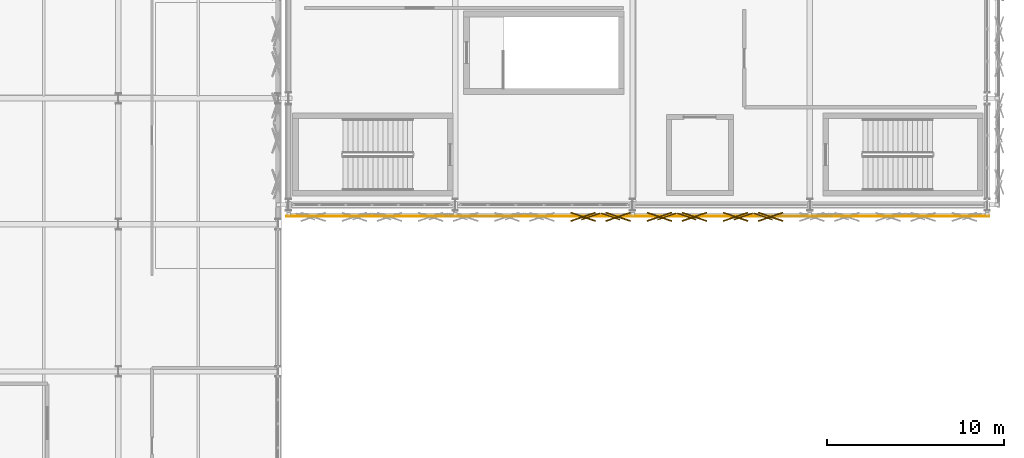
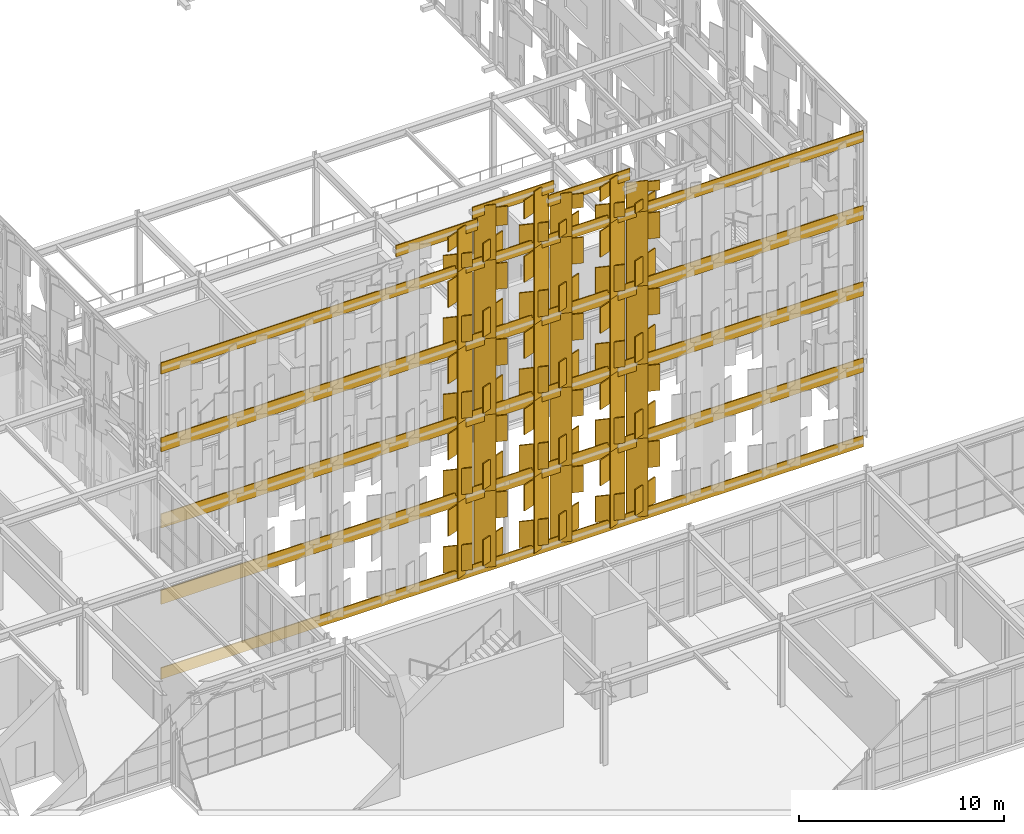
# One storey, part 231 of 239: 98 coverings.
"""IFC4 building model written with IfcOpenShell, lengths in metres."""

import ifcopenshell
import ifcopenshell.guid

model = None  # the IFC model being written
_history = None  # IfcOwnerHistory: only IFC2X3 demands one
_inside = {}  # id of a spatial element -> (the spatial element, [elements in it])
_under = {}  # id of a project, library or spatial element -> (it, [spatial elements below it])
_declared = {}  # id of a project -> (the project, [libraries it declares])
_typed = {}  # id of a type object -> (the type object, [elements of that type])
_made_of = {}  # id of a material, layer set ... -> (it, [elements and type objects made of it])


def new_model(schema):
    """Start an empty IFC model of exactly this schema.

    Asked for "IFC4X3", IfcOpenShell would pick the latest addendum, in which some entities
    have other attributes; the version numbers below select the first issue.
    IFC2X3 requires an IfcOwnerHistory on every rooted entity: one is made here for all.
    """
    global model, _history
    if schema == "IFC4X3":
        model = ifcopenshell.file(schema_version=(4, 3, 0, 0))
    else:
        model = ifcopenshell.file(schema=schema)
    _inside.clear()
    _under.clear()
    _declared.clear()
    _typed.clear()
    _made_of.clear()
    _history = None
    if model.schema == "IFC2X3":
        org = make("IfcOrganization", Name="unknown")
        user = make(
            "IfcPersonAndOrganization",
            ThePerson=make("IfcPerson", FamilyName="unknown"),
            TheOrganization=org,
        )
        app = make(
            "IfcApplication",
            ApplicationDeveloper=org,
            Version="unknown",
            ApplicationFullName="unknown",
            ApplicationIdentifier="unknown",
        )
        _history = make(
            "IfcOwnerHistory",
            OwningUser=user,
            OwningApplication=app,
            ChangeAction="ADDED",
            CreationDate=0,
        )
    return model


def make(cls, **values):
    """One entity of the class cls with the attributes given. An attribute that is None is left unset."""
    return model.create_entity(
        cls, **{name: value for name, value in values.items() if value is not None}
    )


def rooted(cls, **values):
    """An entity with a GlobalId (a new one), such as an element, a storey or a relation."""
    return make(cls, GlobalId=ifcopenshell.guid.new(), OwnerHistory=_history, **values)


def si_unit(unit_type, name, prefix=None):
    """IfcSIUnit, for example si_unit("LENGTHUNIT", "METRE", prefix="MILLI")."""
    return make("IfcSIUnit", UnitType=unit_type, Prefix=prefix, Name=name)


def assignment(units):
    """IfcUnitAssignment: the units of a project."""
    return None if units is None else make("IfcUnitAssignment", Units=units)


def point(xyz):
    """IfcCartesianPoint."""
    return None if xyz is None else make("IfcCartesianPoint", Coordinates=xyz)


def direction(xyz):
    """IfcDirection."""
    return None if xyz is None else make("IfcDirection", DirectionRatios=xyz)


def frame(location, z_axis=None, x_axis=None):
    """IfcAxis2Placement3D, a coordinate frame: its origin and axes. An axis left out is left unset."""
    return make(
        "IfcAxis2Placement3D",
        Location=point(location),
        Axis=direction(z_axis),
        RefDirection=direction(x_axis),
    )


def frame_2d(location, x_axis=None):
    """IfcAxis2Placement2D, a coordinate frame in the plane: its origin and x axis."""
    return make(
        "IfcAxis2Placement2D", Location=point(location), RefDirection=direction(x_axis)
    )


def origin():
    """The frame at (0, 0, 0) with its axes left unset."""
    return frame((0.0, 0.0, 0.0))


def origin_2d():
    """The frame at (0, 0) in the plane with its x axis left unset."""
    return frame_2d((0.0, 0.0))


def place(relative_to, where):
    """IfcLocalPlacement: puts the frame where relative to a parent placement (None: the world)."""
    return make(
        "IfcLocalPlacement", PlacementRelTo=relative_to, RelativePlacement=where
    )


def context(
    kind, dimensions, precision=None, world=None, true_north=None, identifier=None
):
    """IfcGeometricRepresentationContext, for example the 3D "Model" context."""
    return make(
        "IfcGeometricRepresentationContext",
        ContextIdentifier=identifier,
        ContextType=kind,
        CoordinateSpaceDimension=dimensions,
        Precision=precision,
        WorldCoordinateSystem=world,
        TrueNorth=true_north,
    )


def subcontext(parent, identifier, kind, view, scale=None):
    """IfcGeometricRepresentationSubContext, for example "Body" below "Model"."""
    return make(
        "IfcGeometricRepresentationSubContext",
        ContextIdentifier=identifier,
        ContextType=kind,
        ParentContext=parent,
        TargetScale=scale,
        TargetView=view,
    )


def project(units=None, contexts=None):
    """IfcProject with its units and contexts."""
    return rooted(
        "IfcProject",
        Name="project",
        RepresentationContexts=contexts,
        UnitsInContext=assignment(units),
    )


def spatial(cls, under=None, at=None, **own):
    """A site, building, storey or space (cls), placed at a placement, below another one or the project."""
    s = rooted(cls, ObjectPlacement=at, **own)
    if under is not None:
        _under.setdefault(under.id(), (under, []))[1].append(s)
    return s


def profile(cls, at=None, kind="AREA", **sizes):
    """A parametric profile (cls). Its sizes go by their IFC names, for example OverallWidth=200.0."""
    return make(cls, ProfileType=kind, Position=at, **sizes)


def rectangle(**sizes):
    """IfcRectangleProfileDef."""
    return profile("IfcRectangleProfileDef", **sizes)


def extrude(swept, where, along, depth):
    """IfcExtrudedAreaSolid: the profile swept, set in the frame where, extruded along a direction by depth."""
    return make(
        "IfcExtrudedAreaSolid",
        SweptArea=swept,
        Position=where,
        ExtrudedDirection=direction(along),
        Depth=depth,
    )


def shape(context_of_items, identifier, shape_type, items):
    """IfcShapeRepresentation: the items that make up one representation, for example the "Body"."""
    return make(
        "IfcShapeRepresentation",
        ContextOfItems=context_of_items,
        RepresentationIdentifier=identifier,
        RepresentationType=shape_type,
        Items=items,
    )


def material(Name=None, Category=None):
    """IfcMaterial."""
    return make("IfcMaterial", Name=Name, Category=Category)


def layer(
    of_material, thickness, ventilated=None, Name=None, Category=None, Priority=None
):
    """IfcMaterialLayer: one layer of a wall or slab, of a material (None: an air gap)."""
    return make(
        "IfcMaterialLayer",
        Material=of_material,
        LayerThickness=thickness,
        IsVentilated=ventilated,
        Name=Name,
        Category=Category,
        Priority=Priority,
    )


def layer_set(layers, Name=None):
    """IfcMaterialLayerSet."""
    return make("IfcMaterialLayerSet", MaterialLayers=layers, LayerSetName=Name)


def made_of(thing, what):
    """Note that an element or type object is made of a material, layer set ...; save() writes the relation."""
    if what is not None:
        _made_of.setdefault(what.id(), (what, []))[1].append(thing)
    return thing


def type_object(cls, material=None, **own):
    """A type object (cls), such as IfcWallType, which elements share."""
    return made_of(rooted(cls, **own), material)


def element(
    cls,
    number,
    at=None,
    inside=None,
    cuts=None,
    type_object=None,
    material=None,
    context=None,
    identifier="Body",
    shape_type=None,
    held_by="IfcProductDefinitionShape",
    body=None,
    shapes=None,
    **own,
):
    """One element of the class cls, such as IfcWall. Its Tag is "e" and its number.

    at: its placement. inside: the storey or other place that contains it. cuts: it is an
    opening in that element (IfcRelVoidsElement). A single representation is given by context,
    identifier, shape_type and body (its items); several are given by shapes. held_by: the class
    of the entity that holds the representations. save() writes the other relations.
    """
    e = rooted(cls, Tag="e%d" % number, ObjectPlacement=at, **own)
    if body is not None:
        shapes = [shape(context, identifier, shape_type, body)]
    if shapes is not None:
        e.Representation = make(held_by, Representations=shapes)
    if inside is not None:
        _inside.setdefault(inside.id(), (inside, []))[1].append(e)
    if cuts is not None:
        rooted(
            "IfcRelVoidsElement", RelatingBuildingElement=cuts, RelatedOpeningElement=e
        )
    if type_object is not None:
        _typed.setdefault(type_object.id(), (type_object, []))[1].append(e)
    return made_of(e, material)


def aggregate(whole, parts):
    """IfcRelAggregates: a whole, such as a stair, and the parts it consists of."""
    return rooted("IfcRelAggregates", RelatingObject=whole, RelatedObjects=parts)


def save(model, path):
    """Write the relations noted so far, then the file.

    IfcRelAggregates (storeys below a building ...), IfcRelContainedInSpatialStructure (elements
    in a storey), IfcRelDefinesByType, IfcRelAssociatesMaterial and IfcRelDeclares: one each for
    every whole, place, type object, material and project.
    """
    for whole, parts in _under.values():
        aggregate(whole, parts)
    for where, things in _inside.values():
        rooted(
            "IfcRelContainedInSpatialStructure",
            RelatedElements=things,
            RelatingStructure=where,
        )
    for kind, things in _typed.values():
        rooted("IfcRelDefinesByType", RelatedObjects=things, RelatingType=kind)
    for what, things in _made_of.values():
        rooted("IfcRelAssociatesMaterial", RelatedObjects=things, RelatingMaterial=what)
    for by, libraries in _declared.values():
        rooted("IfcRelDeclares", RelatingContext=by, RelatedDefinitions=libraries)
    model.write(path)


model = new_model("IFC4")

# Units and contexts
model_context = context("Model", 3, precision=1e-05, world=origin(), true_north=direction((0.0, 1.0)))
body_context = subcontext(model_context, "Body", "Model", "MODEL_VIEW")
ifc_project = project(units=[si_unit("LENGTHUNIT", "METRE"), si_unit("AREAUNIT", "SQUARE_METRE"), si_unit("VOLUMEUNIT", "CUBIC_METRE"), si_unit("PLANEANGLEUNIT", "RADIAN"), si_unit("MASSUNIT", "GRAM", prefix="KILO")], contexts=[model_context])

# Site, building, storey
site_placement = place(None, origin())
site = spatial("IfcSite", under=ifc_project, at=site_placement, CompositionType="ELEMENT")
building_placement = place(site_placement, origin())
building = spatial("IfcBuilding", under=site, at=building_placement, Name="Kaldris Quays Convention Centre", CompositionType="ELEMENT")
storey_placement = place(building_placement, frame((0.0, 0.0, 11.39990234375)))
storey = spatial("IfcBuildingStorey", under=building, at=storey_placement, Name="L02", CompositionType="ELEMENT", Elevation=11.39990234375)

# Coverings
ifc_material = material(Name="Alabaster white star-pierced anodized aluminium panel", Category="aluminium")
ifc_layer = layer(ifc_material, 0.044921875)
ifc_layer_set = layer_set([ifc_layer], Name="Alabaster white star-pierced anodized aluminium panel")
covering_type = type_object("IfcCoveringType", Name="STAR PIERCED WHITE FOLDED SCREEN CL01", PredefinedType="CLADDING", material=ifc_layer_set)
covering_1_placement = place(storey_placement, frame((184.300048828125, 55.35009765625, -7.8896484375), z_axis=(0.0, 0.0, 1.0), x_axis=(1.0, 0.0, 0.0)))
element("IfcCovering", 1, at=covering_1_placement, inside=storey, type_object=covering_type, Name="V2S White Screen Folded Band 2405", PredefinedType="CLADDING", context=body_context, shape_type="SweptSolid", body=[
    extrude(rectangle(XDim=39.639892578125, YDim=0.054931640625, at=origin_2d()), origin(), (0.0, 0.0, 1.0), 0.679931640625),
])
for number, where, z_axis, x_axis, name in (
    (2, (184.300048828125, 55.35009765625, -3.419921875), (0.0, 0.0, 1.0), (1.0, 0.0, 0.0), "V2S White Screen Folded Band 2406"),
    (3, (184.300048828125, 55.35009765625, 1.1298828125), (0.0, 0.0, 1.0), (1.0, 0.0, 0.0), "V2S White Screen Folded Band 2407"),
    (4, (184.300048828125, 55.35009765625, 5.68017578125), (0.0, 0.0, 1.0), (1.0, 0.0, 0.0), "V2S White Screen Folded Band 2408"),
):
    element("IfcCovering", number, at=place(storey_placement, frame(where, z_axis=z_axis, x_axis=x_axis)), inside=storey, type_object=covering_type, Name=name, PredefinedType="CLADDING", context=body_context, shape_type="SweptSolid", body=[
        extrude(rectangle(XDim=39.639892578125, YDim=0.054931640625, at=origin_2d()), origin(), (0.0, 0.0, 1.0), 0.840087890625),
    ])
covering_2_placement = place(storey_placement, frame((184.300048828125, 55.35009765625, 10.31005859375), z_axis=(0.0, 0.0, 1.0), x_axis=(1.0, 0.0, 0.0)))
element("IfcCovering", 5, at=covering_2_placement, inside=storey, type_object=covering_type, Name="V2S White Screen Folded Band 2409", PredefinedType="CLADDING", context=body_context, shape_type="SweptSolid", body=[
    extrude(rectangle(XDim=39.639892578125, YDim=0.054931640625, at=origin_2d()), origin(), (0.0, 0.0, 1.0), 0.679931640625),
])
covering_3_placement = place(storey_placement, frame((180.050048828125, 55.35009765625, 12.6689453125), z_axis=(0.0, 0.0, 1.0), x_axis=(1.0, 0.0, 0.0)))
element("IfcCovering", 6, at=covering_3_placement, inside=storey, type_object=covering_type, Name="V2S Gable White Screen Cap Band 2489", PredefinedType="CLADDING", context=body_context, shape_type="SweptSolid", body=[
    extrude(rectangle(XDim=4.60009765625, YDim=0.054931640625, at=origin_2d()), origin(), (0.0, 0.0, 1.0), 0.679931640625),
])
covering_4_placement = place(storey_placement, frame((181.64111328125, 55.340087890625, -7.60986328125), z_axis=(0.0, 0.0, 1.0), x_axis=(0.945518575599, 0.325568154457, 0.0)))
element("IfcCovering", 7, at=covering_4_placement, inside=storey, type_object=covering_type, Name="V2S Folded White Screen Stile 2491", PredefinedType="CLADDING", context=body_context, shape_type="SweptSolid", body=[
    extrude(rectangle(XDim=1.091064453125, YDim=0.054931640625, at=origin_2d()), origin(), (0.0, 0.0, 1.0), 4.669921875),
])
for number, where, z_axis, x_axis, name in (
    (8, (181.2109375, 55.320068359375, -7.27685546875), (0.0, 0.0, 1.0), (0.945518575599, -0.325568154457, 0.0), "V2S Carved Star Corner Facet 2494"),
    (9, (181.2109375, 55.320068359375, -4.81982421875), (0.0, 0.0, 1.0), (0.945518575599, 0.325568154457, 0.0), "V2S Carved Star Corner Facet 2495"),
):
    element("IfcCovering", number, at=place(storey_placement, frame(where, z_axis=z_axis, x_axis=x_axis)), inside=storey, type_object=covering_type, Name=name, PredefinedType="CLADDING", context=body_context, shape_type="SweptSolid", body=[
        extrude(rectangle(XDim=1.4619140625, YDim=0.06494140625, at=origin_2d()), origin(), (0.0, 0.0, 1.0), 1.547119140625),
    ])
covering_5_placement = place(storey_placement, frame((181.64111328125, 55.340087890625, -3.059814453125), z_axis=(0.0, 0.0, 1.0), x_axis=(0.945518575599, 0.325568154457, 0.0)))
element("IfcCovering", 10, at=covering_5_placement, inside=storey, type_object=covering_type, Name="V2S Folded White Screen Stile 2497", PredefinedType="CLADDING", context=body_context, shape_type="SweptSolid", body=[
    extrude(rectangle(XDim=1.091064453125, YDim=0.054931640625, at=origin_2d()), origin(), (0.0, 0.0, 1.0), 4.669921875),
])
for number, where, z_axis, x_axis, name in (
    (11, (181.2109375, 55.320068359375, -2.72705078125), (0.0, 0.0, 1.0), (0.945518575599, -0.325568154457, 0.0), "V2S Carved Star Corner Facet 2500"),
    (12, (181.2109375, 55.320068359375, -0.27001953125), (0.0, 0.0, 1.0), (0.945518575599, 0.325568154457, 0.0), "V2S Carved Star Corner Facet 2501"),
):
    element("IfcCovering", number, at=place(storey_placement, frame(where, z_axis=z_axis, x_axis=x_axis)), inside=storey, type_object=covering_type, Name=name, PredefinedType="CLADDING", context=body_context, shape_type="SweptSolid", body=[
        extrude(rectangle(XDim=1.4619140625, YDim=0.06494140625, at=origin_2d()), origin(), (0.0, 0.0, 1.0), 1.547119140625),
    ])
covering_6_placement = place(storey_placement, frame((181.64111328125, 55.340087890625, 1.490234375), z_axis=(0.0, 0.0, 1.0), x_axis=(0.945518575599, 0.325568154457, 0.0)))
element("IfcCovering", 13, at=covering_6_placement, inside=storey, type_object=covering_type, Name="V2S Folded White Screen Stile 2503", PredefinedType="CLADDING", context=body_context, shape_type="SweptSolid", body=[
    extrude(rectangle(XDim=1.091064453125, YDim=0.054931640625, at=origin_2d()), origin(), (0.0, 0.0, 1.0), 4.669921875),
])
for number, where, z_axis, x_axis, name in (
    (14, (181.2109375, 55.320068359375, 1.8232421875), (0.0, 0.0, 1.0), (0.945518575599, -0.325568154457, 0.0), "V2S Carved Star Corner Facet 2506"),
    (15, (181.2109375, 55.320068359375, 4.2802734375), (0.0, 0.0, 1.0), (0.945518575599, 0.325568154457, 0.0), "V2S Carved Star Corner Facet 2507"),
):
    element("IfcCovering", number, at=place(storey_placement, frame(where, z_axis=z_axis, x_axis=x_axis)), inside=storey, type_object=covering_type, Name=name, PredefinedType="CLADDING", context=body_context, shape_type="SweptSolid", body=[
        extrude(rectangle(XDim=1.4619140625, YDim=0.06494140625, at=origin_2d()), origin(), (0.0, 0.0, 1.0), 1.547119140625),
    ])
covering_7_placement = place(storey_placement, frame((181.64111328125, 55.340087890625, 6.0400390625), z_axis=(0.0, 0.0, 1.0), x_axis=(0.945518575599, 0.325568154457, 0.0)))
element("IfcCovering", 16, at=covering_7_placement, inside=storey, type_object=covering_type, Name="V2S Folded White Screen Stile 2509", PredefinedType="CLADDING", context=body_context, shape_type="SweptSolid", body=[
    extrude(rectangle(XDim=1.091064453125, YDim=0.054931640625, at=origin_2d()), origin(), (0.0, 0.0, 1.0), 4.669921875),
])
for number, where, z_axis, x_axis, name in (
    (17, (181.2109375, 55.320068359375, 6.373046875), (0.0, 0.0, 1.0), (0.945518575599, -0.325568154457, 0.0), "V2S Carved Star Corner Facet 2512"),
    (18, (181.2109375, 55.320068359375, 8.830078125), (0.0, 0.0, 1.0), (0.945518575599, 0.325568154457, 0.0), "V2S Carved Star Corner Facet 2513"),
):
    element("IfcCovering", number, at=place(storey_placement, frame(where, z_axis=z_axis, x_axis=x_axis)), inside=storey, type_object=covering_type, Name=name, PredefinedType="CLADDING", context=body_context, shape_type="SweptSolid", body=[
        extrude(rectangle(XDim=1.4619140625, YDim=0.06494140625, at=origin_2d()), origin(), (0.0, 0.0, 1.0), 1.547119140625),
    ])
covering_8_placement = place(storey_placement, frame((181.64111328125, 55.340087890625, 10.590087890625), z_axis=(0.0, 0.0, 1.0), x_axis=(0.945518575599, 0.325568154457, 0.0)))
element("IfcCovering", 19, at=covering_8_placement, inside=storey, type_object=covering_type, Name="V2S Folded White Screen Stile 2515", PredefinedType="CLADDING", context=body_context, shape_type="SweptSolid", body=[
    extrude(rectangle(XDim=1.091064453125, YDim=0.054931640625, at=origin_2d()), origin(), (0.0, 0.0, 1.0), 2.62890625),
])
for number, where, z_axis, x_axis, name in (
    (20, (181.2109375, 55.320068359375, 10.80078125), (0.0, 0.0, 1.0), (0.945518575599, -0.325568154457, 0.0), "V2S Carved Star Corner Facet 2518"),
    (21, (181.2109375, 55.320068359375, 12.155517578125), (0.0, 0.0, 1.0), (0.945518575599, 0.325568154457, 0.0), "V2S Carved Star Corner Facet 2519"),
):
    element("IfcCovering", number, at=place(storey_placement, frame(where, z_axis=z_axis, x_axis=x_axis)), inside=storey, type_object=covering_type, Name=name, PredefinedType="CLADDING", context=body_context, shape_type="SweptSolid", body=[
        extrude(rectangle(XDim=1.4619140625, YDim=0.06494140625, at=origin_2d()), origin(), (0.0, 0.0, 1.0), 0.85302734375),
    ])
covering_9_placement = place(storey_placement, frame((184.35009765625, 55.35009765625, 13.43701171875), z_axis=(0.0, 0.0, 1.0), x_axis=(1.0, 0.0, 0.0)))
element("IfcCovering", 22, at=covering_9_placement, inside=storey, type_object=covering_type, Name="V2S Gable White Screen Cap Band 2520", PredefinedType="CLADDING", context=body_context, shape_type="SweptSolid", body=[
    extrude(rectangle(XDim=4.60009765625, YDim=0.054931640625, at=origin_2d()), origin(), (0.0, 0.0, 1.0), 0.679931640625),
])
for number, where, z_axis, x_axis, name in (
    (23, (182.759033203125, 55.340087890625, -7.60986328125), (0.0, 0.0, 1.0), (0.945518575599, -0.325568154457, 0.0), "V2S Folded White Screen Stile 2521"),
    (24, (185.94091796875, 55.340087890625, -7.60986328125), (0.0, 0.0, 1.0), (0.945518575599, 0.325568154457, 0.0), "V2S Folded White Screen Stile 2522"),
):
    element("IfcCovering", number, at=place(storey_placement, frame(where, z_axis=z_axis, x_axis=x_axis)), inside=storey, type_object=covering_type, Name=name, PredefinedType="CLADDING", context=body_context, shape_type="SweptSolid", body=[
        extrude(rectangle(XDim=1.091064453125, YDim=0.054931640625, at=origin_2d()), origin(), (0.0, 0.0, 1.0), 4.669921875),
    ])
for number, where, z_axis, x_axis, name in (
    (25, (183.18896484375, 55.320068359375, -7.27685546875), (0.0, 0.0, 1.0), (0.945518575599, 0.325568154457, 0.0), "V2S Carved Star Corner Facet 2523"),
    (26, (183.18896484375, 55.320068359375, -4.81982421875), (0.0, 0.0, 1.0), (0.945518575599, -0.325568154457, 0.0), "V2S Carved Star Corner Facet 2524"),
    (27, (185.510986328125, 55.320068359375, -7.27685546875), (0.0, 0.0, 1.0), (0.945518575599, -0.325568154457, 0.0), "V2S Carved Star Corner Facet 2525"),
    (28, (185.510986328125, 55.320068359375, -4.81982421875), (0.0, 0.0, 1.0), (0.945518575599, 0.325568154457, 0.0), "V2S Carved Star Corner Facet 2526"),
):
    element("IfcCovering", number, at=place(storey_placement, frame(where, z_axis=z_axis, x_axis=x_axis)), inside=storey, type_object=covering_type, Name=name, PredefinedType="CLADDING", context=body_context, shape_type="SweptSolid", body=[
        extrude(rectangle(XDim=1.4619140625, YDim=0.06494140625, at=origin_2d()), origin(), (0.0, 0.0, 1.0), 1.547119140625),
    ])
for number, where, z_axis, x_axis, name in (
    (29, (182.759033203125, 55.340087890625, -3.059814453125), (0.0, 0.0, 1.0), (0.945518575599, -0.325568154457, 0.0), "V2S Folded White Screen Stile 2527"),
    (30, (185.94091796875, 55.340087890625, -3.059814453125), (0.0, 0.0, 1.0), (0.945518575599, 0.325568154457, 0.0), "V2S Folded White Screen Stile 2528"),
):
    element("IfcCovering", number, at=place(storey_placement, frame(where, z_axis=z_axis, x_axis=x_axis)), inside=storey, type_object=covering_type, Name=name, PredefinedType="CLADDING", context=body_context, shape_type="SweptSolid", body=[
        extrude(rectangle(XDim=1.091064453125, YDim=0.054931640625, at=origin_2d()), origin(), (0.0, 0.0, 1.0), 4.669921875),
    ])
for number, where, z_axis, x_axis, name in (
    (31, (183.18896484375, 55.320068359375, -2.72705078125), (0.0, 0.0, 1.0), (0.945518575599, 0.325568154457, 0.0), "V2S Carved Star Corner Facet 2529"),
    (32, (183.18896484375, 55.320068359375, -0.27001953125), (0.0, 0.0, 1.0), (0.945518575599, -0.325568154457, 0.0), "V2S Carved Star Corner Facet 2530"),
    (33, (185.510986328125, 55.320068359375, -2.72705078125), (0.0, 0.0, 1.0), (0.945518575599, -0.325568154457, 0.0), "V2S Carved Star Corner Facet 2531"),
    (34, (185.510986328125, 55.320068359375, -0.27001953125), (0.0, 0.0, 1.0), (0.945518575599, 0.325568154457, 0.0), "V2S Carved Star Corner Facet 2532"),
):
    element("IfcCovering", number, at=place(storey_placement, frame(where, z_axis=z_axis, x_axis=x_axis)), inside=storey, type_object=covering_type, Name=name, PredefinedType="CLADDING", context=body_context, shape_type="SweptSolid", body=[
        extrude(rectangle(XDim=1.4619140625, YDim=0.06494140625, at=origin_2d()), origin(), (0.0, 0.0, 1.0), 1.547119140625),
    ])
for number, where, z_axis, x_axis, name in (
    (35, (182.759033203125, 55.340087890625, 1.490234375), (0.0, 0.0, 1.0), (0.945518575599, -0.325568154457, 0.0), "V2S Folded White Screen Stile 2533"),
    (36, (185.94091796875, 55.340087890625, 1.490234375), (0.0, 0.0, 1.0), (0.945518575599, 0.325568154457, 0.0), "V2S Folded White Screen Stile 2534"),
):
    element("IfcCovering", number, at=place(storey_placement, frame(where, z_axis=z_axis, x_axis=x_axis)), inside=storey, type_object=covering_type, Name=name, PredefinedType="CLADDING", context=body_context, shape_type="SweptSolid", body=[
        extrude(rectangle(XDim=1.091064453125, YDim=0.054931640625, at=origin_2d()), origin(), (0.0, 0.0, 1.0), 4.669921875),
    ])
for number, where, z_axis, x_axis, name in (
    (37, (183.18896484375, 55.320068359375, 1.8232421875), (0.0, 0.0, 1.0), (0.945518575599, 0.325568154457, 0.0), "V2S Carved Star Corner Facet 2535"),
    (38, (183.18896484375, 55.320068359375, 4.2802734375), (0.0, 0.0, 1.0), (0.945518575599, -0.325568154457, 0.0), "V2S Carved Star Corner Facet 2536"),
    (39, (185.510986328125, 55.320068359375, 1.8232421875), (0.0, 0.0, 1.0), (0.945518575599, -0.325568154457, 0.0), "V2S Carved Star Corner Facet 2537"),
    (40, (185.510986328125, 55.320068359375, 4.2802734375), (0.0, 0.0, 1.0), (0.945518575599, 0.325568154457, 0.0), "V2S Carved Star Corner Facet 2538"),
):
    element("IfcCovering", number, at=place(storey_placement, frame(where, z_axis=z_axis, x_axis=x_axis)), inside=storey, type_object=covering_type, Name=name, PredefinedType="CLADDING", context=body_context, shape_type="SweptSolid", body=[
        extrude(rectangle(XDim=1.4619140625, YDim=0.06494140625, at=origin_2d()), origin(), (0.0, 0.0, 1.0), 1.547119140625),
    ])
for number, where, z_axis, x_axis, name in (
    (41, (182.759033203125, 55.340087890625, 6.0400390625), (0.0, 0.0, 1.0), (0.945518575599, -0.325568154457, 0.0), "V2S Folded White Screen Stile 2539"),
    (42, (185.94091796875, 55.340087890625, 6.0400390625), (0.0, 0.0, 1.0), (0.945518575599, 0.325568154457, 0.0), "V2S Folded White Screen Stile 2540"),
):
    element("IfcCovering", number, at=place(storey_placement, frame(where, z_axis=z_axis, x_axis=x_axis)), inside=storey, type_object=covering_type, Name=name, PredefinedType="CLADDING", context=body_context, shape_type="SweptSolid", body=[
        extrude(rectangle(XDim=1.091064453125, YDim=0.054931640625, at=origin_2d()), origin(), (0.0, 0.0, 1.0), 4.669921875),
    ])
for number, where, z_axis, x_axis, name in (
    (43, (183.18896484375, 55.320068359375, 6.373046875), (0.0, 0.0, 1.0), (0.945518575599, 0.325568154457, 0.0), "V2S Carved Star Corner Facet 2541"),
    (44, (183.18896484375, 55.320068359375, 8.830078125), (0.0, 0.0, 1.0), (0.945518575599, -0.325568154457, 0.0), "V2S Carved Star Corner Facet 2542"),
    (45, (185.510986328125, 55.320068359375, 6.373046875), (0.0, 0.0, 1.0), (0.945518575599, -0.325568154457, 0.0), "V2S Carved Star Corner Facet 2543"),
    (46, (185.510986328125, 55.320068359375, 8.830078125), (0.0, 0.0, 1.0), (0.945518575599, 0.325568154457, 0.0), "V2S Carved Star Corner Facet 2544"),
):
    element("IfcCovering", number, at=place(storey_placement, frame(where, z_axis=z_axis, x_axis=x_axis)), inside=storey, type_object=covering_type, Name=name, PredefinedType="CLADDING", context=body_context, shape_type="SweptSolid", body=[
        extrude(rectangle(XDim=1.4619140625, YDim=0.06494140625, at=origin_2d()), origin(), (0.0, 0.0, 1.0), 1.547119140625),
    ])
for number, where, z_axis, x_axis, name in (
    (47, (182.759033203125, 55.340087890625, 10.590087890625), (0.0, 0.0, 1.0), (0.945518575599, -0.325568154457, 0.0), "V2S Folded White Screen Stile 2545"),
    (48, (185.94091796875, 55.340087890625, 10.590087890625), (0.0, 0.0, 1.0), (0.945518575599, 0.325568154457, 0.0), "V2S Folded White Screen Stile 2546"),
):
    element("IfcCovering", number, at=place(storey_placement, frame(where, z_axis=z_axis, x_axis=x_axis)), inside=storey, type_object=covering_type, Name=name, PredefinedType="CLADDING", context=body_context, shape_type="SweptSolid", body=[
        extrude(rectangle(XDim=1.091064453125, YDim=0.054931640625, at=origin_2d()), origin(), (0.0, 0.0, 1.0), 3.39697265625),
    ])
for number, where, z_axis, x_axis, name in (
    (49, (183.18896484375, 55.320068359375, 10.8466796875), (0.0, 0.0, 1.0), (0.945518575599, 0.325568154457, 0.0), "V2S Carved Star Corner Facet 2547"),
    (50, (183.18896484375, 55.320068359375, 12.6162109375), (0.0, 0.0, 1.0), (0.945518575599, -0.325568154457, 0.0), "V2S Carved Star Corner Facet 2548"),
    (51, (185.510986328125, 55.320068359375, 10.8466796875), (0.0, 0.0, 1.0), (0.945518575599, -0.325568154457, 0.0), "V2S Carved Star Corner Facet 2549"),
    (52, (185.510986328125, 55.320068359375, 12.6162109375), (0.0, 0.0, 1.0), (0.945518575599, 0.325568154457, 0.0), "V2S Carved Star Corner Facet 2550"),
):
    element("IfcCovering", number, at=place(storey_placement, frame(where, z_axis=z_axis, x_axis=x_axis)), inside=storey, type_object=covering_type, Name=name, PredefinedType="CLADDING", context=body_context, shape_type="SweptSolid", body=[
        extrude(rectangle(XDim=1.4619140625, YDim=0.06494140625, at=origin_2d()), origin(), (0.0, 0.0, 1.0), 1.114013671875),
    ])
covering_10_placement = place(storey_placement, frame((188.64990234375, 55.35009765625, 12.6513671875), z_axis=(0.0, 0.0, 1.0), x_axis=(1.0, 0.0, 0.0)))
element("IfcCovering", 53, at=covering_10_placement, inside=storey, type_object=covering_type, Name="V2S Gable White Screen Cap Band 2551", PredefinedType="CLADDING", context=body_context, shape_type="SweptSolid", body=[
    extrude(rectangle(XDim=4.60009765625, YDim=0.054931640625, at=origin_2d()), origin(), (0.0, 0.0, 1.0), 0.679931640625),
])
for number, where, z_axis, x_axis, name in (
    (54, (187.05908203125, 55.340087890625, -7.60986328125), (0.0, 0.0, 1.0), (0.945518575599, -0.325568154457, 0.0), "V2S Folded White Screen Stile 2552"),
    (55, (190.240966796875, 55.340087890625, -7.60986328125), (0.0, 0.0, 1.0), (0.945518575599, 0.325568154457, 0.0), "V2S Folded White Screen Stile 2553"),
):
    element("IfcCovering", number, at=place(storey_placement, frame(where, z_axis=z_axis, x_axis=x_axis)), inside=storey, type_object=covering_type, Name=name, PredefinedType="CLADDING", context=body_context, shape_type="SweptSolid", body=[
        extrude(rectangle(XDim=1.091064453125, YDim=0.054931640625, at=origin_2d()), origin(), (0.0, 0.0, 1.0), 4.669921875),
    ])
for number, where, z_axis, x_axis, name in (
    (56, (187.489013671875, 55.320068359375, -7.27685546875), (0.0, 0.0, 1.0), (0.945518575599, 0.325568154457, 0.0), "V2S Carved Star Corner Facet 2554"),
    (57, (187.489013671875, 55.320068359375, -4.81982421875), (0.0, 0.0, 1.0), (0.945518575599, -0.325568154457, 0.0), "V2S Carved Star Corner Facet 2555"),
    (58, (189.81103515625, 55.320068359375, -7.27685546875), (0.0, 0.0, 1.0), (0.945518575599, -0.325568154457, 0.0), "V2S Carved Star Corner Facet 2556"),
    (59, (189.81103515625, 55.320068359375, -4.81982421875), (0.0, 0.0, 1.0), (0.945518575599, 0.325568154457, 0.0), "V2S Carved Star Corner Facet 2557"),
):
    element("IfcCovering", number, at=place(storey_placement, frame(where, z_axis=z_axis, x_axis=x_axis)), inside=storey, type_object=covering_type, Name=name, PredefinedType="CLADDING", context=body_context, shape_type="SweptSolid", body=[
        extrude(rectangle(XDim=1.4619140625, YDim=0.06494140625, at=origin_2d()), origin(), (0.0, 0.0, 1.0), 1.547119140625),
    ])
for number, where, z_axis, x_axis, name in (
    (60, (187.05908203125, 55.340087890625, -3.059814453125), (0.0, 0.0, 1.0), (0.945518575599, -0.325568154457, 0.0), "V2S Folded White Screen Stile 2558"),
    (61, (190.240966796875, 55.340087890625, -3.059814453125), (0.0, 0.0, 1.0), (0.945518575599, 0.325568154457, 0.0), "V2S Folded White Screen Stile 2559"),
):
    element("IfcCovering", number, at=place(storey_placement, frame(where, z_axis=z_axis, x_axis=x_axis)), inside=storey, type_object=covering_type, Name=name, PredefinedType="CLADDING", context=body_context, shape_type="SweptSolid", body=[
        extrude(rectangle(XDim=1.091064453125, YDim=0.054931640625, at=origin_2d()), origin(), (0.0, 0.0, 1.0), 4.669921875),
    ])
for number, where, z_axis, x_axis, name in (
    (62, (187.489013671875, 55.320068359375, -2.72705078125), (0.0, 0.0, 1.0), (0.945518575599, 0.325568154457, 0.0), "V2S Carved Star Corner Facet 2560"),
    (63, (187.489013671875, 55.320068359375, -0.27001953125), (0.0, 0.0, 1.0), (0.945518575599, -0.325568154457, 0.0), "V2S Carved Star Corner Facet 2561"),
    (64, (189.81103515625, 55.320068359375, -2.72705078125), (0.0, 0.0, 1.0), (0.945518575599, -0.325568154457, 0.0), "V2S Carved Star Corner Facet 2562"),
    (65, (189.81103515625, 55.320068359375, -0.27001953125), (0.0, 0.0, 1.0), (0.945518575599, 0.325568154457, 0.0), "V2S Carved Star Corner Facet 2563"),
):
    element("IfcCovering", number, at=place(storey_placement, frame(where, z_axis=z_axis, x_axis=x_axis)), inside=storey, type_object=covering_type, Name=name, PredefinedType="CLADDING", context=body_context, shape_type="SweptSolid", body=[
        extrude(rectangle(XDim=1.4619140625, YDim=0.06494140625, at=origin_2d()), origin(), (0.0, 0.0, 1.0), 1.547119140625),
    ])
for number, where, z_axis, x_axis, name in (
    (66, (187.05908203125, 55.340087890625, 1.490234375), (0.0, 0.0, 1.0), (0.945518575599, -0.325568154457, 0.0), "V2S Folded White Screen Stile 2564"),
    (67, (190.240966796875, 55.340087890625, 1.490234375), (0.0, 0.0, 1.0), (0.945518575599, 0.325568154457, 0.0), "V2S Folded White Screen Stile 2565"),
):
    element("IfcCovering", number, at=place(storey_placement, frame(where, z_axis=z_axis, x_axis=x_axis)), inside=storey, type_object=covering_type, Name=name, PredefinedType="CLADDING", context=body_context, shape_type="SweptSolid", body=[
        extrude(rectangle(XDim=1.091064453125, YDim=0.054931640625, at=origin_2d()), origin(), (0.0, 0.0, 1.0), 4.669921875),
    ])
for number, where, z_axis, x_axis, name in (
    (68, (187.489013671875, 55.320068359375, 1.8232421875), (0.0, 0.0, 1.0), (0.945518575599, 0.325568154457, 0.0), "V2S Carved Star Corner Facet 2566"),
    (69, (187.489013671875, 55.320068359375, 4.2802734375), (0.0, 0.0, 1.0), (0.945518575599, -0.325568154457, 0.0), "V2S Carved Star Corner Facet 2567"),
    (70, (189.81103515625, 55.320068359375, 1.8232421875), (0.0, 0.0, 1.0), (0.945518575599, -0.325568154457, 0.0), "V2S Carved Star Corner Facet 2568"),
    (71, (189.81103515625, 55.320068359375, 4.2802734375), (0.0, 0.0, 1.0), (0.945518575599, 0.325568154457, 0.0), "V2S Carved Star Corner Facet 2569"),
):
    element("IfcCovering", number, at=place(storey_placement, frame(where, z_axis=z_axis, x_axis=x_axis)), inside=storey, type_object=covering_type, Name=name, PredefinedType="CLADDING", context=body_context, shape_type="SweptSolid", body=[
        extrude(rectangle(XDim=1.4619140625, YDim=0.06494140625, at=origin_2d()), origin(), (0.0, 0.0, 1.0), 1.547119140625),
    ])
for number, where, z_axis, x_axis, name in (
    (72, (187.05908203125, 55.340087890625, 6.0400390625), (0.0, 0.0, 1.0), (0.945518575599, -0.325568154457, 0.0), "V2S Folded White Screen Stile 2570"),
    (73, (190.240966796875, 55.340087890625, 6.0400390625), (0.0, 0.0, 1.0), (0.945518575599, 0.325568154457, 0.0), "V2S Folded White Screen Stile 2571"),
):
    element("IfcCovering", number, at=place(storey_placement, frame(where, z_axis=z_axis, x_axis=x_axis)), inside=storey, type_object=covering_type, Name=name, PredefinedType="CLADDING", context=body_context, shape_type="SweptSolid", body=[
        extrude(rectangle(XDim=1.091064453125, YDim=0.054931640625, at=origin_2d()), origin(), (0.0, 0.0, 1.0), 4.669921875),
    ])
for number, where, z_axis, x_axis, name in (
    (74, (187.489013671875, 55.320068359375, 6.373046875), (0.0, 0.0, 1.0), (0.945518575599, 0.325568154457, 0.0), "V2S Carved Star Corner Facet 2572"),
    (75, (187.489013671875, 55.320068359375, 8.830078125), (0.0, 0.0, 1.0), (0.945518575599, -0.325568154457, 0.0), "V2S Carved Star Corner Facet 2573"),
    (76, (189.81103515625, 55.320068359375, 6.373046875), (0.0, 0.0, 1.0), (0.945518575599, -0.325568154457, 0.0), "V2S Carved Star Corner Facet 2574"),
    (77, (189.81103515625, 55.320068359375, 8.830078125), (0.0, 0.0, 1.0), (0.945518575599, 0.325568154457, 0.0), "V2S Carved Star Corner Facet 2575"),
):
    element("IfcCovering", number, at=place(storey_placement, frame(where, z_axis=z_axis, x_axis=x_axis)), inside=storey, type_object=covering_type, Name=name, PredefinedType="CLADDING", context=body_context, shape_type="SweptSolid", body=[
        extrude(rectangle(XDim=1.4619140625, YDim=0.06494140625, at=origin_2d()), origin(), (0.0, 0.0, 1.0), 1.547119140625),
    ])
for number, where, z_axis, x_axis, name in (
    (78, (187.05908203125, 55.340087890625, 10.58984375), (0.0, 0.0, 1.0), (0.945518575599, -0.325568154457, 0.0), "V2S Folded White Screen Stile 2576"),
    (79, (190.240966796875, 55.340087890625, 10.58984375), (0.0, 0.0, 1.0), (0.945518575599, 0.325568154457, 0.0), "V2S Folded White Screen Stile 2577"),
):
    element("IfcCovering", number, at=place(storey_placement, frame(where, z_axis=z_axis, x_axis=x_axis)), inside=storey, type_object=covering_type, Name=name, PredefinedType="CLADDING", context=body_context, shape_type="SweptSolid", body=[
        extrude(rectangle(XDim=1.091064453125, YDim=0.054931640625, at=origin_2d()), origin(), (0.0, 0.0, 1.0), 2.611083984375),
    ])
for number, where, z_axis, x_axis, name in (
    (80, (187.489013671875, 55.320068359375, 10.79931640625), (0.0, 0.0, 1.0), (0.945518575599, 0.325568154457, 0.0), "V2S Carved Star Corner Facet 2578"),
    (81, (187.489013671875, 55.320068359375, 12.14453125), (0.0, 0.0, 1.0), (0.945518575599, -0.325568154457, 0.0), "V2S Carved Star Corner Facet 2579"),
    (82, (189.81103515625, 55.320068359375, 10.79931640625), (0.0, 0.0, 1.0), (0.945518575599, -0.325568154457, 0.0), "V2S Carved Star Corner Facet 2580"),
    (83, (189.81103515625, 55.320068359375, 12.14453125), (0.0, 0.0, 1.0), (0.945518575599, 0.325568154457, 0.0), "V2S Carved Star Corner Facet 2581"),
):
    element("IfcCovering", number, at=place(storey_placement, frame(where, z_axis=z_axis, x_axis=x_axis)), inside=storey, type_object=covering_type, Name=name, PredefinedType="CLADDING", context=body_context, shape_type="SweptSolid", body=[
        extrude(rectangle(XDim=1.4619140625, YDim=0.06494140625, at=origin_2d()), origin(), (0.0, 0.0, 1.0), 0.846923828125),
    ])
covering_11_placement = place(storey_placement, frame((191.35888671875, 55.340087890625, -7.60986328125), z_axis=(0.0, 0.0, 1.0), x_axis=(0.945518575599, -0.325568154457, 0.0)))
element("IfcCovering", 84, at=covering_11_placement, inside=storey, type_object=covering_type, Name="V2S Folded White Screen Stile 2583", PredefinedType="CLADDING", context=body_context, shape_type="SweptSolid", body=[
    extrude(rectangle(XDim=1.091064453125, YDim=0.054931640625, at=origin_2d()), origin(), (0.0, 0.0, 1.0), 4.669921875),
])
for number, where, z_axis, x_axis, name in (
    (85, (191.7890625, 55.320068359375, -7.27685546875), (0.0, 0.0, 1.0), (0.945518575599, 0.325568154457, 0.0), "V2S Carved Star Corner Facet 2585"),
    (86, (191.7890625, 55.320068359375, -4.81982421875), (0.0, 0.0, 1.0), (0.945518575599, -0.325568154457, 0.0), "V2S Carved Star Corner Facet 2586"),
):
    element("IfcCovering", number, at=place(storey_placement, frame(where, z_axis=z_axis, x_axis=x_axis)), inside=storey, type_object=covering_type, Name=name, PredefinedType="CLADDING", context=body_context, shape_type="SweptSolid", body=[
        extrude(rectangle(XDim=1.4619140625, YDim=0.06494140625, at=origin_2d()), origin(), (0.0, 0.0, 1.0), 1.547119140625),
    ])
covering_12_placement = place(storey_placement, frame((191.35888671875, 55.340087890625, -3.059814453125), z_axis=(0.0, 0.0, 1.0), x_axis=(0.945518575599, -0.325568154457, 0.0)))
element("IfcCovering", 87, at=covering_12_placement, inside=storey, type_object=covering_type, Name="V2S Folded White Screen Stile 2589", PredefinedType="CLADDING", context=body_context, shape_type="SweptSolid", body=[
    extrude(rectangle(XDim=1.091064453125, YDim=0.054931640625, at=origin_2d()), origin(), (0.0, 0.0, 1.0), 4.669921875),
])
for number, where, z_axis, x_axis, name in (
    (88, (191.7890625, 55.320068359375, -2.72705078125), (0.0, 0.0, 1.0), (0.945518575599, 0.325568154457, 0.0), "V2S Carved Star Corner Facet 2591"),
    (89, (191.7890625, 55.320068359375, -0.27001953125), (0.0, 0.0, 1.0), (0.945518575599, -0.325568154457, 0.0), "V2S Carved Star Corner Facet 2592"),
):
    element("IfcCovering", number, at=place(storey_placement, frame(where, z_axis=z_axis, x_axis=x_axis)), inside=storey, type_object=covering_type, Name=name, PredefinedType="CLADDING", context=body_context, shape_type="SweptSolid", body=[
        extrude(rectangle(XDim=1.4619140625, YDim=0.06494140625, at=origin_2d()), origin(), (0.0, 0.0, 1.0), 1.547119140625),
    ])
covering_13_placement = place(storey_placement, frame((191.35888671875, 55.340087890625, 1.490234375), z_axis=(0.0, 0.0, 1.0), x_axis=(0.945518575599, -0.325568154457, 0.0)))
element("IfcCovering", 90, at=covering_13_placement, inside=storey, type_object=covering_type, Name="V2S Folded White Screen Stile 2595", PredefinedType="CLADDING", context=body_context, shape_type="SweptSolid", body=[
    extrude(rectangle(XDim=1.091064453125, YDim=0.054931640625, at=origin_2d()), origin(), (0.0, 0.0, 1.0), 4.669921875),
])
for number, where, z_axis, x_axis, name in (
    (91, (191.7890625, 55.320068359375, 1.8232421875), (0.0, 0.0, 1.0), (0.945518575599, 0.325568154457, 0.0), "V2S Carved Star Corner Facet 2597"),
    (92, (191.7890625, 55.320068359375, 4.2802734375), (0.0, 0.0, 1.0), (0.945518575599, -0.325568154457, 0.0), "V2S Carved Star Corner Facet 2598"),
):
    element("IfcCovering", number, at=place(storey_placement, frame(where, z_axis=z_axis, x_axis=x_axis)), inside=storey, type_object=covering_type, Name=name, PredefinedType="CLADDING", context=body_context, shape_type="SweptSolid", body=[
        extrude(rectangle(XDim=1.4619140625, YDim=0.06494140625, at=origin_2d()), origin(), (0.0, 0.0, 1.0), 1.547119140625),
    ])
covering_14_placement = place(storey_placement, frame((191.35888671875, 55.340087890625, 6.0400390625), z_axis=(0.0, 0.0, 1.0), x_axis=(0.945518575599, -0.325568154457, 0.0)))
element("IfcCovering", 93, at=covering_14_placement, inside=storey, type_object=covering_type, Name="V2S Folded White Screen Stile 2601", PredefinedType="CLADDING", context=body_context, shape_type="SweptSolid", body=[
    extrude(rectangle(XDim=1.091064453125, YDim=0.054931640625, at=origin_2d()), origin(), (0.0, 0.0, 1.0), 4.669921875),
])
for number, where, z_axis, x_axis, name in (
    (94, (191.7890625, 55.320068359375, 6.373046875), (0.0, 0.0, 1.0), (0.945518575599, 0.325568154457, 0.0), "V2S Carved Star Corner Facet 2603"),
    (95, (191.7890625, 55.320068359375, 8.830078125), (0.0, 0.0, 1.0), (0.945518575599, -0.325568154457, 0.0), "V2S Carved Star Corner Facet 2604"),
):
    element("IfcCovering", number, at=place(storey_placement, frame(where, z_axis=z_axis, x_axis=x_axis)), inside=storey, type_object=covering_type, Name=name, PredefinedType="CLADDING", context=body_context, shape_type="SweptSolid", body=[
        extrude(rectangle(XDim=1.4619140625, YDim=0.06494140625, at=origin_2d()), origin(), (0.0, 0.0, 1.0), 1.547119140625),
    ])
covering_15_placement = place(storey_placement, frame((191.35888671875, 55.340087890625, 10.59033203125), z_axis=(0.0, 0.0, 1.0), x_axis=(0.945518575599, -0.325568154457, 0.0)))
element("IfcCovering", 96, at=covering_15_placement, inside=storey, type_object=covering_type, Name="V2S Folded White Screen Stile 2607", PredefinedType="CLADDING", context=body_context, shape_type="SweptSolid", body=[
    extrude(rectangle(XDim=1.091064453125, YDim=0.054931640625, at=origin_2d()), origin(), (0.0, 0.0, 1.0), 1.824951171875),
])
for number, where, z_axis, x_axis, name in (
    (97, (191.7890625, 55.320068359375, 10.752197265625), (0.0, 0.0, 1.0), (0.945518575599, 0.325568154457, 0.0), "V2S Carved Star Corner Facet 2609"),
    (98, (191.7890625, 55.320068359375, 11.6728515625), (0.0, 0.0, 1.0), (0.945518575599, -0.325568154457, 0.0), "V2S Carved Star Corner Facet 2610"),
):
    element("IfcCovering", number, at=place(storey_placement, frame(where, z_axis=z_axis, x_axis=x_axis)), inside=storey, type_object=covering_type, Name=name, PredefinedType="CLADDING", context=body_context, shape_type="SweptSolid", body=[
        extrude(rectangle(XDim=1.4619140625, YDim=0.06494140625, at=origin_2d()), origin(), (0.0, 0.0, 1.0), 0.580078125),
    ])

save(model, "model.ifc")
